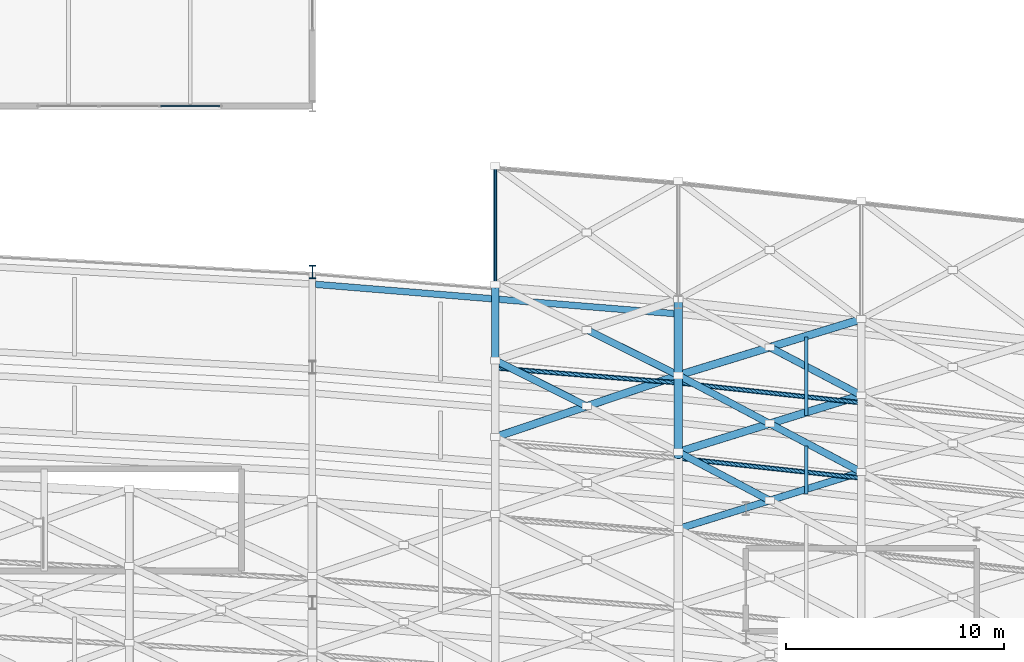
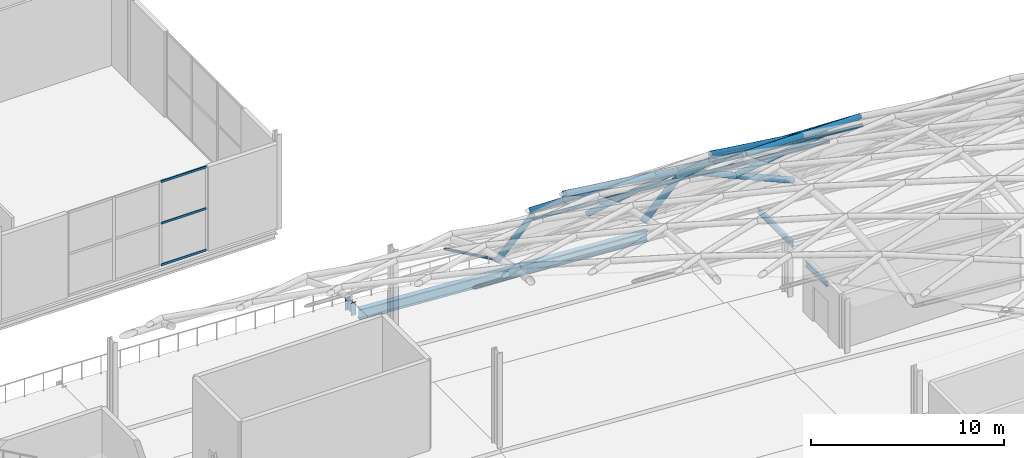
# One storey, part 58 of 100: 21 members, 3 beams, 1 element without a shape of its own.
"""IFC4 building model written with IfcOpenShell, lengths in metres."""

from ifc_helpers import new_model, si_unit, direction, frame, origin, origin_2d, place, context, subcontext, project, spatial, rectangle, hollow_circle, i_section, extrude, material, material_profile, profile_set, type_object, element, aggregate, save


model = new_model("IFC4")

# Units and contexts
model_context = context("Model", 3, precision=1e-05, world=origin(), true_north=direction((0.0, 1.0)))
body_context = subcontext(model_context, "Body", "Model", "MODEL_VIEW")
ifc_project = project(units=[si_unit("LENGTHUNIT", "METRE"), si_unit("AREAUNIT", "SQUARE_METRE"), si_unit("VOLUMEUNIT", "CUBIC_METRE"), si_unit("PLANEANGLEUNIT", "RADIAN"), si_unit("MASSUNIT", "GRAM", prefix="KILO")], contexts=[model_context])

# Site, building, storey
site_placement = place(None, origin())
site = spatial("IfcSite", under=ifc_project, at=site_placement, CompositionType="ELEMENT")
building_placement = place(site_placement, origin())
building = spatial("IfcBuilding", under=site, at=building_placement, Name="Kimbaza Rail Terminus", CompositionType="ELEMENT")
storey_placement = place(building_placement, frame((0.0, 0.0, 10.800048828125)))
storey = spatial("IfcBuildingStorey", under=building, at=storey_placement, Name="L02", CompositionType="ELEMENT", Elevation=10.800048828125)

# Curtain wall, members
ifc_material_1 = material(Name="Anodised aluminium framing and solar low-E glazing", Category="aluminium")
curtain_wall_type = type_object("IfcCurtainWallType", Name="ARC-CW-OP1", PredefinedType="USERDEFINED", material=ifc_material_1)
curtain_wall_placement = place(storey_placement, origin())
curtain_wall = element("IfcCurtainWall", 1, at=curtain_wall_placement, inside=storey, type_object=curtain_wall_type, Name="Operations South Curtain Wall L02 Bay 6", ObjectType="UNITISED CURTAIN WALL", PredefinedType="USERDEFINED")
ifc_material_2 = material(Name="Anodised architectural aluminium", Category="aluminium")
ifc_material_profile_1 = material_profile(ifc_material_2, rectangle(XDim=0.06201171875, YDim=0.135009765625, at=origin_2d()), Name="TRANSOM 62x135")
ifc_profile_set_1 = profile_set([ifc_material_profile_1], Name="Anodised architectural aluminium")
member_type_1 = type_object("IfcMemberType", Name="ARC-CWT-05", PredefinedType="USERDEFINED", material=ifc_profile_set_1)
member_1_placement = place(storey_placement, frame((149.031005859375, 103.0, 0.031005859375), z_axis=(1.0, 0.0, 0.0), x_axis=(0.0, 1.0, 0.0)))
member_1 = element("IfcMember", 2, at=member_1_placement, type_object=member_type_1, Name="CW-05 transom 3.1", ObjectType="TRANSOM", PredefinedType="USERDEFINED", context=body_context, shape_type="SweptSolid", body=[
    extrude(rectangle(XDim=0.06201171875, YDim=0.135009765625, at=origin_2d()), origin(), (0.0, 0.0, 1.0), 2.70703125),
])
member_2_placement = place(storey_placement, frame((149.031005859375, 103.0, 2.662353515625), z_axis=(1.0, 0.0, 0.0), x_axis=(0.0, 1.0, 0.0)))
member_2 = element("IfcMember", 3, at=member_2_placement, type_object=member_type_1, Name="CW-05 transom 3.2", ObjectType="TRANSOM", PredefinedType="USERDEFINED", context=body_context, shape_type="SweptSolid", body=[
    extrude(rectangle(XDim=0.06201171875, YDim=0.135009765625, at=origin_2d()), origin(), (0.0, 0.0, 1.0), 2.70703125),
])
member_3_placement = place(storey_placement, frame((149.031005859375, 103.0, 5.2939453125), z_axis=(1.0, 0.0, 0.0), x_axis=(0.0, 1.0, 0.0)))
member_3 = element("IfcMember", 4, at=member_3_placement, type_object=member_type_1, Name="CW-05 transom 3.3", ObjectType="TRANSOM", PredefinedType="USERDEFINED", context=body_context, shape_type="SweptSolid", body=[
    extrude(rectangle(XDim=0.06201171875, YDim=0.135009765625, at=origin_2d()), origin(), (0.0, 0.0, 1.0), 2.70703125),
])
aggregate(curtain_wall, [member_1, member_2, member_3])

# Beams
ifc_material_3 = material(Name="Steel S355", Category="steel")
ifc_material_profile_2 = material_profile(ifc_material_3, i_section(OverallWidth=0.300048828125, OverallDepth=0.64990234375, WebThickness=0.01611328125, FlangeThickness=0.031005859375, FilletRadius=0.027099609375, at=origin_2d()), Name="HEB 650")
ifc_profile_set_2 = profile_set([ifc_material_profile_2], Name="Steel S355")
beam_type_1 = type_object("IfcBeamType", Name="STR-BM-HEB650", PredefinedType="USERDEFINED", material=ifc_profile_set_2)
beam_1_placement = place(storey_placement, frame((156.14453125, 94.81396484375, -0.5849609375), z_axis=(0.996690271877, -0.081292693071, 0.0), x_axis=(0.081292693071, 0.996690271877, 0.0)))
element("IfcBeam", 5, at=beam_1_placement, inside=storey, type_object=beam_type_1, Name="Viaduct Chorded Girder P4 Bay 09", ObjectType="GIRDER", PredefinedType="USERDEFINED", context=body_context, shape_type="SweptSolid", body=[
    extrude(i_section(OverallWidth=0.300048828125, OverallDepth=0.64990234375, WebThickness=0.01611328125, FlangeThickness=0.031005859375, FilletRadius=0.027099609375, at=origin_2d()), origin(), (0.0, 0.0, 1.0), 16.56591796875),
])
ifc_material_4 = material(Name="Steel S355", Category="steel")
ifc_material_profile_3 = material_profile(ifc_material_4, i_section(OverallWidth=0.169921875, OverallDepth=0.360107421875, WebThickness=0.008056640625, FlangeThickness=0.0126953125, FilletRadius=0.01806640625, at=origin_2d()), Name="IPE 360")
ifc_profile_set_3 = profile_set([ifc_material_profile_3], Name="Steel S355")
beam_type_2 = type_object("IfcBeamType", Name="STR-BM-IPE360", PredefinedType="JOIST", material=ifc_profile_set_3)
beam_2_placement = place(storey_placement, frame((178.679931640625, 85.1845703125, -0.75), z_axis=(0.0, 1.0, 0.0), x_axis=(-1.0, 0.0, 0.0)))
element("IfcBeam", 6, at=beam_2_placement, inside=storey, type_object=beam_type_2, Name="Viaduct Diaphragm TR56 Bay 10", PredefinedType="JOIST", context=body_context, shape_type="SweptSolid", body=[
    extrude(i_section(OverallWidth=0.169921875, OverallDepth=0.360107421875, WebThickness=0.008056640625, FlangeThickness=0.0126953125, FilletRadius=0.01806640625, at=origin_2d()), origin(), (0.0, 0.0, 1.0), 2.2099609375),
])
beam_3_placement = place(storey_placement, frame((178.679931640625, 88.784423828125, -0.43994140625), z_axis=(0.0, 1.0, 0.0), x_axis=(-1.0, 0.0, 0.0)))
element("IfcBeam", 7, at=beam_3_placement, inside=storey, type_object=beam_type_2, Name="Viaduct Diaphragm P4 Bay 10", PredefinedType="JOIST", context=body_context, shape_type="SweptSolid", body=[
    extrude(i_section(OverallWidth=0.169921875, OverallDepth=0.360107421875, WebThickness=0.008056640625, FlangeThickness=0.0126953125, FilletRadius=0.01806640625, at=origin_2d()), origin(), (0.0, 0.0, 1.0), 3.610107421875),
])

# Members
ifc_material_5 = material(Name="White painted steel S355", Category="steel")
ifc_material_profile_4 = material_profile(ifc_material_5, hollow_circle(Radius=0.084228515625, WallThickness=0.00634765625, at=origin_2d()), Name="CHS 168.3x6.3")
ifc_profile_set_4 = profile_set([ifc_material_profile_4], Name="White painted steel S355")
member_type_2 = type_object("IfcMemberType", Name="STR-MB-CHS168", PredefinedType="RAFTER", material=ifc_profile_set_4)
member_4_placement = place(storey_placement, frame((164.39990234375, 94.690673828125, 0.0), z_axis=(0.0, 0.901963905621, -0.431811432174), x_axis=(-1.0, 0.0, 0.0)))
element("IfcMember", 8, at=member_4_placement, inside=storey, type_object=member_type_2, Name="Vault lattice arch chord VR-17 seg 14", PredefinedType="RAFTER", context=body_context, shape_type="SweptSolid", body=[
    extrude(hollow_circle(Radius=0.084228515625, WallThickness=0.00634765625, at=origin_2d()), origin(), (0.0, 0.0, 1.0), 6.04296875),
])
ifc_material_6 = material(Name="White painted steel S355", Category="steel")
ifc_material_profile_5 = material_profile(ifc_material_6, hollow_circle(Radius=0.109619140625, WallThickness=0.008056640625, at=origin_2d()), Name="CHS 219.1x8")
ifc_profile_set_5 = profile_set([ifc_material_profile_5], Name="White painted steel S355")
member_type_3 = type_object("IfcMemberType", Name="STR-MB-CHS219", PredefinedType="PURLIN", material=ifc_profile_set_5)
member_5_placement = place(storey_placement, frame((164.39990234375, 90.975830078125, 4.85205078125), z_axis=(0.996688689454, -0.081312092054, 0.0), x_axis=(0.081312092054, 0.996688689454, 0.0)))
element("IfcMember", 9, at=member_5_placement, inside=storey, type_object=member_type_3, Name="Vault lattice longitudinal purlin VR-17-VA12", PredefinedType="PURLIN", context=body_context, shape_type="SweptSolid", body=[
    extrude(hollow_circle(Radius=0.109619140625, WallThickness=0.008056640625, at=origin_2d()), origin(), (0.0, 0.0, 1.0), 8.427978515625),
])
for number, where, z_axis, x_axis, name in (
    (10, (172.800048828125, 86.83349609375, 7.9716796875), (0.99410959352, -0.108379500241, 0.0), (0.108379500241, 0.99410959352, 0.0), "Vault lattice longitudinal purlin VR-18-VA11"),
    (11, (172.800048828125, 90.29052734375, 4.85205078125), (0.99410959352, -0.108379500241, 0.0), (0.108379500241, 0.99410959352, 0.0), "Vault lattice longitudinal purlin VR-18-VA12"),
):
    element("IfcMember", number, at=place(storey_placement, frame(where, z_axis=z_axis, x_axis=x_axis)), inside=storey, type_object=member_type_3, Name=name, PredefinedType="PURLIN", context=body_context, shape_type="SweptSolid", body=[
        extrude(hollow_circle(Radius=0.109619140625, WallThickness=0.008056640625, at=origin_2d()), origin(), (0.0, 0.0, 1.0), 8.44970703125),
    ])
ifc_material_7 = material(Name="White painted steel S355", Category="steel")
ifc_material_profile_6 = material_profile(ifc_material_7, hollow_circle(Radius=0.161865234375, WallThickness=0.010009765625, at=origin_2d()), Name="CHS 323.9x10")
ifc_profile_set_6 = profile_set([ifc_material_profile_6], Name="White painted steel S355")
member_type_4 = type_object("IfcMemberType", Name="STR-MB-CHS323", PredefinedType="STRUT", material=ifc_profile_set_6)
member_6_placement = place(storey_placement, frame((168.60009765625, 89.218017578125, 6.759033203125), z_axis=(-0.846686951919, 0.424524624927, -0.320780373902), x_axis=(-0.448210958208, -0.893927814168, 0.0)))
element("IfcMember", 12, at=member_6_placement, inside=storey, type_object=member_type_4, Name="Vault lattice diagonal B2 VR-17-VA11", PredefinedType="STRUT", context=body_context, shape_type="SweptSolid", body=[
    extrude(hollow_circle(Radius=0.161865234375, WallThickness=0.010009765625, at=origin_2d()), origin(), (0.0, 0.0, 1.0), 4.960693359375),
])
member_7_placement = place(storey_placement, frame((172.800048828125, 90.638671875, 5.167724609375), z_axis=(-0.786566126574, 0.391065516514, -0.477892760272), x_axis=(-0.445192873622, -0.895434701849, 0.0)))
element("IfcMember", 13, at=member_7_placement, inside=storey, type_object=member_type_4, Name="Vault lattice diagonal B1 VR-17-VA12", PredefinedType="STRUT", context=body_context, shape_type="SweptSolid", body=[
    extrude(hollow_circle(Radius=0.161865234375, WallThickness=0.010009765625, at=origin_2d()), origin(), (0.0, 0.0, 1.0), 5.339599609375),
])
member_8_placement = place(storey_placement, frame((172.800048828125, 83.58544921875, 10.499755859375), z_axis=(0.927643307476, 0.288328126785, -0.237370565571), x_axis=(-0.296811236638, 0.95493617054, 0.0)))
element("IfcMember", 14, at=member_8_placement, inside=storey, type_object=member_type_4, Name="Vault lattice diagonal A VR-18-VA10", PredefinedType="STRUT", context=body_context, shape_type="SweptSolid", body=[
    extrude(hollow_circle(Radius=0.161865234375, WallThickness=0.010009765625, at=origin_2d()), origin(), (0.0, 0.0, 1.0), 9.05517578125),
])
member_9_placement = place(storey_placement, frame((177.0, 84.890869140625, 9.425048828125), z_axis=(-0.862206208714, 0.455987449101, -0.220626154203), x_axis=(-0.467507561467, -0.883989072314, 0.0)))
element("IfcMember", 15, at=member_9_placement, inside=storey, type_object=member_type_4, Name="Vault lattice diagonal B2 VR-18-VA10", PredefinedType="STRUT", context=body_context, shape_type="SweptSolid", body=[
    extrude(hollow_circle(Radius=0.161865234375, WallThickness=0.010009765625, at=origin_2d()), origin(), (0.0, 0.0, 1.0), 4.87109375),
])
for number, where, z_axis, x_axis, name in (
    (16, (181.199951171875, 86.1962890625, 8.350341796875), (-0.838222707869, 0.443303504981, -0.317592025222), (-0.467507561467, -0.883989072314, 0.0), "Vault lattice diagonal B1 VR-18-VA11"),
    (17, (177.0, 88.41748046875, 6.759033203125), (-0.838222707869, 0.443303504981, -0.317592025222), (-0.467507561467, -0.883989072314, 0.0), "Vault lattice diagonal B2 VR-18-VA11"),
):
    element("IfcMember", number, at=place(storey_placement, frame(where, z_axis=z_axis, x_axis=x_axis)), inside=storey, type_object=member_type_4, Name=name, PredefinedType="STRUT", context=body_context, shape_type="SweptSolid", body=[
        extrude(hollow_circle(Radius=0.161865234375, WallThickness=0.010009765625, at=origin_2d()), origin(), (0.0, 0.0, 1.0), 5.010498046875),
    ])
member_10_placement = place(storey_placement, frame((181.199951171875, 89.722900390625, 5.167724609375), z_axis=(-0.77983211888, 0.409113809969, -0.473801389672), x_axis=(-0.464568554853, -0.885537157799, 0.0)))
element("IfcMember", 18, at=member_10_placement, inside=storey, type_object=member_type_4, Name="Vault lattice diagonal B1 VR-18-VA12", PredefinedType="STRUT", context=body_context, shape_type="SweptSolid", body=[
    extrude(hollow_circle(Radius=0.161865234375, WallThickness=0.010009765625, at=origin_2d()), origin(), (0.0, 0.0, 1.0), 5.3857421875),
])
ifc_material_8 = material(Name="White painted steel S355", Category="steel")
ifc_material_profile_7 = material_profile(ifc_material_8, hollow_circle(Radius=0.177734375, WallThickness=0.012451171875, at=origin_2d()), Name="CHS 355.6x12.5")
ifc_profile_set_7 = profile_set([ifc_material_profile_7], Name="White painted steel S355")
member_type_5 = type_object("IfcMemberType", Name="STR-MB-CHS355", PredefinedType="CHORD", material=ifc_profile_set_7)
member_11_placement = place(storey_placement, frame((164.39990234375, 91.101806640625, 4.966064453125), z_axis=(0.0, 0.585733481953, -0.810503724926), x_axis=(-1.0, 0.0, 0.0)))
element("IfcMember", 19, at=member_11_placement, inside=storey, type_object=member_type_5, Name="Vault lattice arch chord VR-17 seg 13", PredefinedType="CHORD", context=body_context, shape_type="SweptSolid", body=[
    extrude(hollow_circle(Radius=0.177734375, WallThickness=0.012451171875, at=origin_2d()), origin(), (0.0, 0.0, 1.0), 6.127197265625),
])
member_12_placement = place(storey_placement, frame((164.39990234375, 87.79736328125, 8.350341796875), z_axis=(0.89159389769, 0.301577288962, -0.33780387858), x_axis=(-0.320412234802, 0.94727820612, 0.0)))
element("IfcMember", 20, at=member_12_placement, inside=storey, type_object=member_type_5, Name="Vault lattice diagonal A VR-17-VA11", PredefinedType="CHORD", context=body_context, shape_type="SweptSolid", body=[
    extrude(hollow_circle(Radius=0.177734375, WallThickness=0.012451171875, at=origin_2d()), origin(), (0.0, 0.0, 1.0), 9.42138671875),
])
member_13_placement = place(storey_placement, frame((172.800048828125, 87.112060546875, 8.350341796875), z_axis=(0.897967340624, 0.279104305663, -0.340228513991), x_axis=(-0.296811236638, 0.95493617054, 0.0)))
element("IfcMember", 21, at=member_13_placement, inside=storey, type_object=member_type_5, Name="Vault lattice diagonal A VR-18-VA11", PredefinedType="CHORD", context=body_context, shape_type="SweptSolid", body=[
    extrude(hollow_circle(Radius=0.177734375, WallThickness=0.012451171875, at=origin_2d()), origin(), (0.0, 0.0, 1.0), 9.354248046875),
])
member_14_placement = place(storey_placement, frame((172.800048828125, 90.638671875, 5.167724609375), z_axis=(0.826720949123, 0.253451507625, -0.502289563462), x_axis=(-0.293109355165, 0.95607892243, 0.0)))
element("IfcMember", 22, at=member_14_placement, inside=storey, type_object=member_type_5, Name="Vault lattice diagonal A VR-18-VA12", PredefinedType="CHORD", context=body_context, shape_type="SweptSolid", body=[
    extrude(hollow_circle(Radius=0.177734375, WallThickness=0.012451171875, at=origin_2d()), origin(), (0.0, 0.0, 1.0), 10.160400390625),
])
ifc_material_9 = material(Name="White painted steel S355", Category="steel")
ifc_material_profile_8 = material_profile(ifc_material_9, hollow_circle(Radius=0.203125, WallThickness=0.01416015625, at=origin_2d()), Name="CHS 406.4x14.2")
ifc_profile_set_8 = profile_set([ifc_material_profile_8], Name="White painted steel S355")
member_type_6 = type_object("IfcMemberType", Name="STR-MB-CHS406", PredefinedType="CHORD", material=ifc_profile_set_8)
member_15_placement = place(storey_placement, frame((172.800048828125, 86.934326171875, 8.108642578125), z_axis=(0.0, 0.742379857618, -0.669979213859), x_axis=(-1.0, 0.0, 0.0)))
element("IfcMember", 23, at=member_15_placement, inside=storey, type_object=member_type_6, Name="Vault lattice arch chord VR-18 seg 12", PredefinedType="CHORD", context=body_context, shape_type="SweptSolid", body=[
    extrude(hollow_circle(Radius=0.203125, WallThickness=0.01416015625, at=origin_2d()), origin(), (0.0, 0.0, 1.0), 4.690673828125),
])
member_16_placement = place(storey_placement, frame((172.800048828125, 90.41650390625, 4.966064453125), z_axis=(0.0, 0.585733481953, -0.810503724926), x_axis=(-1.0, 0.0, 0.0)))
element("IfcMember", 24, at=member_16_placement, inside=storey, type_object=member_type_6, Name="Vault lattice arch chord VR-18 seg 13", PredefinedType="CHORD", context=body_context, shape_type="SweptSolid", body=[
    extrude(hollow_circle(Radius=0.203125, WallThickness=0.01416015625, at=origin_2d()), origin(), (0.0, 0.0, 1.0), 6.127197265625),
])
ifc_material_10 = material(Name="Steel S355", Category="steel")
ifc_material_profile_9 = material_profile(ifc_material_10, i_section(OverallWidth=0.304931640625, OverallDepth=0.6201171875, WebThickness=0.02099609375, FlangeThickness=0.0400390625, FilletRadius=0.027099609375, at=origin_2d()), Name="HEM 600")
ifc_profile_set_9 = profile_set([ifc_material_profile_9], Name="Steel S355")
member_type_7 = type_object("IfcMemberType", Name="STR-MB-HEM600", PredefinedType="POST", material=ifc_profile_set_9)
member_17_placement = place(storey_placement, frame((156.0, 95.375732421875, -0.800048828125), z_axis=(0.0, 0.0, 1.0), x_axis=(1.0, 0.0, 0.0)))
element("IfcMember", 25, at=member_17_placement, inside=storey, type_object=member_type_7, Name="Vault Springing Shoe Pedestal N VP-09", PredefinedType="POST", context=body_context, shape_type="SweptSolid", body=[
    extrude(i_section(OverallWidth=0.304931640625, OverallDepth=0.6201171875, WebThickness=0.02099609375, FlangeThickness=0.0400390625, FilletRadius=0.027099609375, at=origin_2d()), origin(), (0.0, 0.0, 1.0), 0.800048828125),
])

save(model, "model.ifc")
